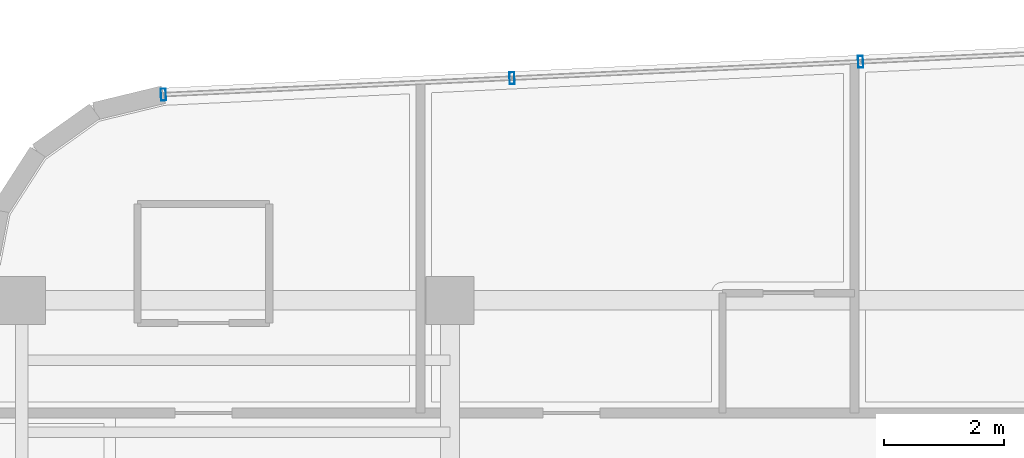
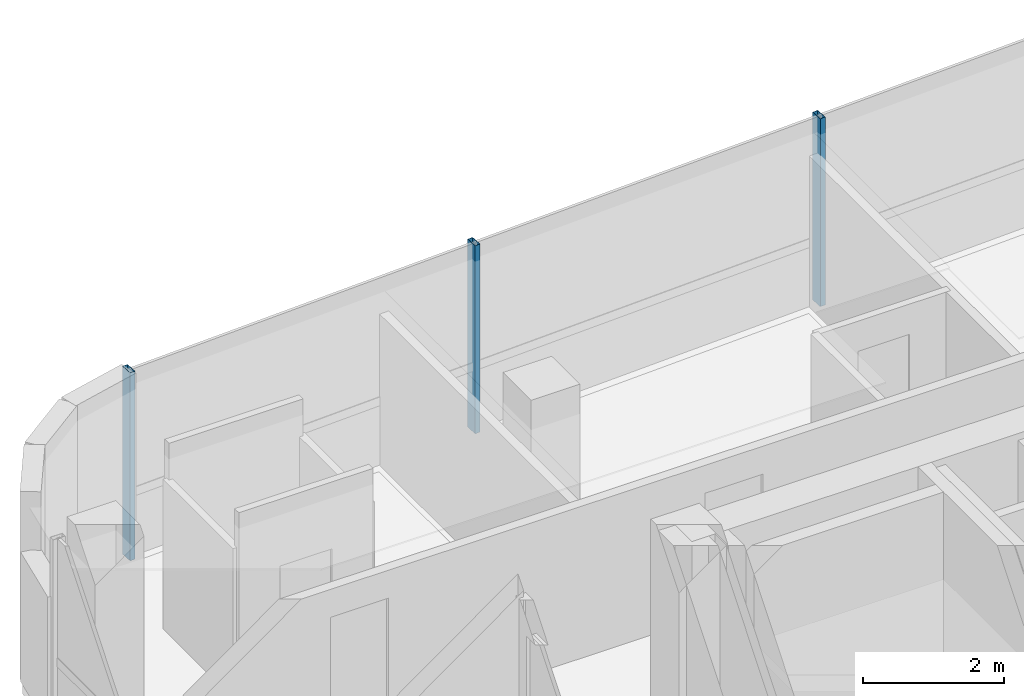
# One storey, part 10 of 20: 3 members, 1 element without a shape of its own.
"""IFC4 building model written with IfcOpenShell, lengths in metres."""

from ifc_helpers import new_model, si_unit, direction, frame, origin, origin_2d, place, context, subcontext, project, spatial, hollow_rectangle, extrude, source, transform, mapped, material, material_profile, profile_set, type_object, element, aggregate, save


model = new_model("IFC4")

# Units and contexts
model_context = context("Model", 3, precision=1e-05, world=origin(), true_north=direction((0.0, 1.0)))
body_context = subcontext(model_context, "Body", "Model", "MODEL_VIEW")
ifc_project = project(units=[si_unit("LENGTHUNIT", "METRE"), si_unit("AREAUNIT", "SQUARE_METRE"), si_unit("VOLUMEUNIT", "CUBIC_METRE"), si_unit("PLANEANGLEUNIT", "RADIAN"), si_unit("MASSUNIT", "GRAM", prefix="KILO")], contexts=[model_context])

# Site, building, storey
site_placement = place(None, origin())
site = spatial("IfcSite", under=ifc_project, at=site_placement, CompositionType="ELEMENT")
building_placement = place(site_placement, origin())
building = spatial("IfcBuilding", under=site, at=building_placement, Name="Valdorenza Pilgrim Sanctuary Tower", CompositionType="ELEMENT")
storey_placement = place(building_placement, frame((0.0, 0.0, 280.0)))
storey = spatial("IfcBuildingStorey", under=building, at=storey_placement, Name="L73", CompositionType="ELEMENT", Elevation=280.0)

# Curtain wall, members
ifc_material_1 = material(Name="Curtain-wall IGU glazing", Category="glass")
curtain_wall_type = type_object("IfcCurtainWallType", Name="CW-SYS-02", PredefinedType="NOTDEFINED", material=ifc_material_1)
curtain_wall_placement = place(storey_placement, origin())
curtain_wall = element("IfcCurtainWall", 1, at=curtain_wall_placement, inside=storey, type_object=curtain_wall_type, Name="L73 Curtain Wall CW-L73-1-6", PredefinedType="NOTDEFINED")
ifc_material_2 = material(Name="Anodised aluminium AW-6060", Category="aluminium")
ifc_material_profile = material_profile(ifc_material_2, hollow_rectangle(XDim=0.0849609375, YDim=0.199951171875, WallThickness=0.0048828125, at=origin_2d()), Name="ALU-M 200x85x5")
ifc_profile_set = profile_set([ifc_material_profile], Name="Anodised aluminium AW-6060")
member_type = type_object("IfcMemberType", Name="CW-MUL-02", PredefinedType="MULLION", material=ifc_profile_set)
shared_shape = source(origin(), body_context, "Body", "SweptSolid", [
    extrude(hollow_rectangle(XDim=0.0849609375, YDim=0.199951171875, WallThickness=0.0048828125, at=origin_2d()), origin(), (0.0, 0.0, 1.0), 3.260009765625),
])
member_1_placement = place(storey_placement, frame((-27.43505859375, 18.234375, 0.0), z_axis=(0.0, 0.0, 1.0), x_axis=(0.998890696972, 0.047089016785, 0.0)))
member_1 = element("IfcMember", 2, at=member_1_placement, type_object=member_type, Name="CW-L73-1-6 Mullion 1", PredefinedType="MULLION", context=body_context, shape_type="MappedRepresentation", body=[
    mapped(shared_shape, transform((0.0, 0.0, 0.0), x_axis=(1.0, 0.0, 0.0), y_axis=(0.0, 1.0, 0.0), z_axis=(0.0, 0.0, 1.0), scale=1.0)),
])
member_2_placement = place(storey_placement, frame((-21.615478515625, 18.5087890625, 0.0), z_axis=(0.0, 0.0, 1.0), x_axis=(0.998890696972, 0.047089016785, 0.0)))
member_2 = element("IfcMember", 3, at=member_2_placement, type_object=member_type, Name="CW-L73-1-6 Mullion 2", PredefinedType="MULLION", context=body_context, shape_type="MappedRepresentation", body=[
    mapped(shared_shape, transform((0.0, 0.0, 0.0), x_axis=(1.0, 0.0, 0.0), y_axis=(0.0, 1.0, 0.0), z_axis=(0.0, 0.0, 1.0), scale=1.0)),
])
member_3_placement = place(storey_placement, frame((-15.7958984375, 18.782958984375, 0.0), z_axis=(0.0, 0.0, 1.0), x_axis=(0.998890696972, 0.047089016785, 0.0)))
member_3 = element("IfcMember", 4, at=member_3_placement, type_object=member_type, Name="CW-L73-1-6 Mullion 3", PredefinedType="MULLION", context=body_context, shape_type="MappedRepresentation", body=[
    mapped(shared_shape, transform((0.0, 0.0, 0.0), x_axis=(1.0, 0.0, 0.0), y_axis=(0.0, 1.0, 0.0), z_axis=(0.0, 0.0, 1.0), scale=1.0)),
])
aggregate(curtain_wall, [member_1, member_2, member_3])

save(model, "model.ifc")
